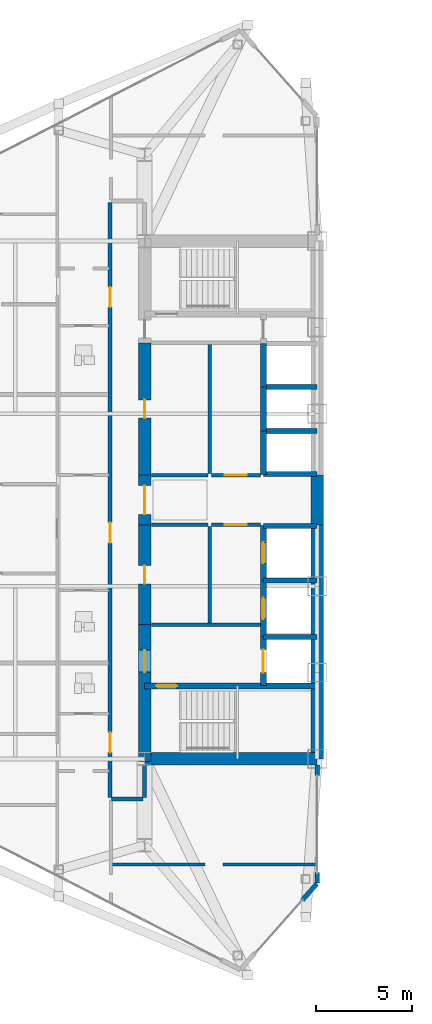
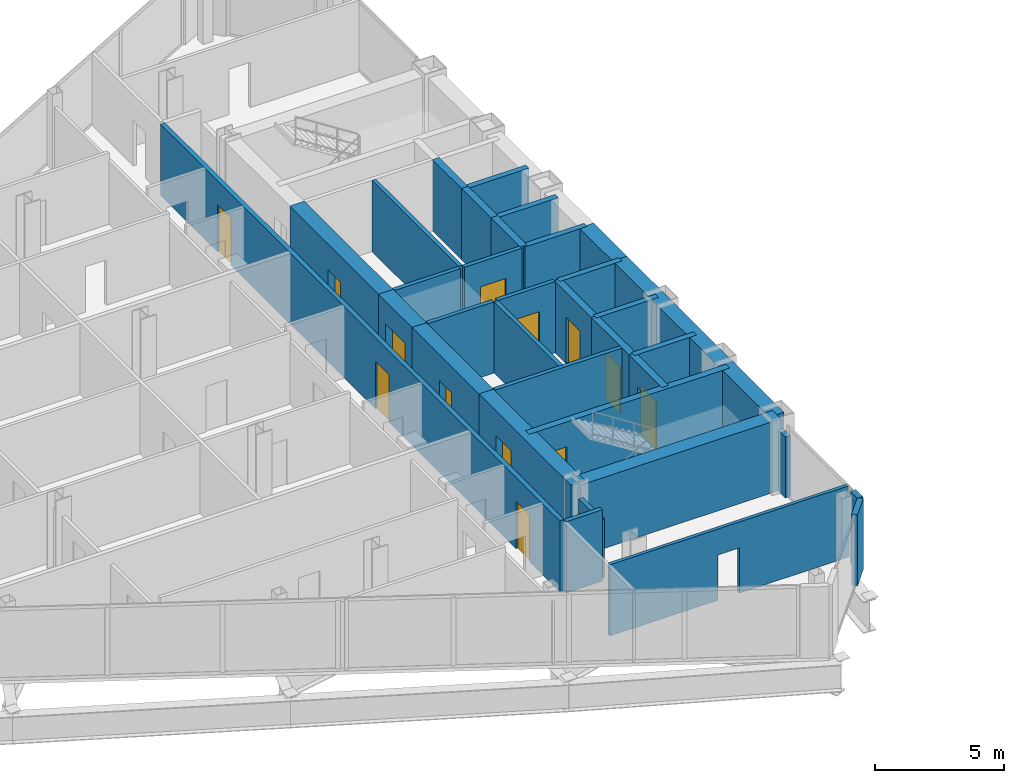
# One storey, part 20 of 28: 34 walls, 13 doors, 14 openings.
"""IFC4 building model written with IfcOpenShell, lengths in metres."""

from ifc_helpers import new_model, si_unit, direction, frame, frame_2d, origin, place, context, subcontext, project, spatial, rectangle, extrude, source, transform, mapped, material, layer, layer_set, type_object, type_shapes, element, fill, save


model = new_model("IFC4")

# Units and contexts
model_context = context("Model", 3, precision=1e-05, world=origin(), true_north=direction((0.0, 1.0)))
body_context = subcontext(model_context, "Body", "Model", "MODEL_VIEW")
ifc_project = project(units=[si_unit("LENGTHUNIT", "METRE"), si_unit("AREAUNIT", "SQUARE_METRE"), si_unit("VOLUMEUNIT", "CUBIC_METRE"), si_unit("PLANEANGLEUNIT", "RADIAN"), si_unit("MASSUNIT", "GRAM", prefix="KILO")], contexts=[model_context])

# Site, building, storey
site_placement = place(None, origin())
site = spatial("IfcSite", under=ifc_project, at=site_placement, CompositionType="ELEMENT")
building_placement = place(site_placement, origin())
building = spatial("IfcBuilding", under=site, at=building_placement, Name="Seokmaru Belvedere", CompositionType="ELEMENT")
storey_placement = place(building_placement, frame((0.0, 0.0, 110.39990234375)))
storey = spatial("IfcBuildingStorey", under=building, at=storey_placement, Name="L29", CompositionType="ELEMENT", Elevation=110.39990234375)

# Wall, opening
ifc_material_1 = material(Name="Fire-Rated Gypsum Shaftwall")
ifc_layer_1 = layer(ifc_material_1, 0.14990234375)
ifc_layer_set_1 = layer_set([ifc_layer_1], Name="Fire-Rated Gypsum Shaftwall")
wall_type_1 = type_object("IfcWallType", Name="Apartment Fire-Acoustic Room Partition 150", PredefinedType="PARTITIONING", material=ifc_layer_set_1)
wall_1_placement = place(storey_placement, frame((-38.199951171875, -19.0, 0.0), z_axis=(0.0, 0.0, 1.0), x_axis=(1.0, 0.0, 0.0)))
wall_1 = element("IfcWall", 1, at=wall_1_placement, inside=storey, type_object=wall_type_1, Name="L29 Interior Partition 001", PredefinedType="PARTITIONING", context=body_context, shape_type="SweptSolid", body=[
    extrude(rectangle(XDim=10.73486328125, YDim=0.14990234375, at=frame_2d((5.367431640625, 0.0))), origin(), (0.0, 0.0, 1.0), 3.380126953125),
])
opening_1_placement = place(wall_1_placement, frame((4.85009765625, 0.0, 0.0)))
element("IfcOpeningElement", 2, at=opening_1_placement, cuts=wall_1, Name="L29 Cased Opening 008", PredefinedType="OPENING", context=body_context, shape_type="SweptSolid", body=[
    extrude(rectangle(XDim=0.949951171875, YDim=2.14990234375, at=frame_2d((0.47509765625, 1.074951171875))), frame((0.0, 0.0849609375, 0.0), z_axis=(0.0, -1.0, 0.0), x_axis=(1.0, 0.0, 0.0)), (0.0, 0.0, 1.0), 0.169921875),
])

# Walls
ifc_layer_2 = layer(ifc_material_1, 0.179931640625)
ifc_layer_set_2 = layer_set([ifc_layer_2], Name="Fire-Rated Gypsum Shaftwall")
wall_type_2 = type_object("IfcWallType", Name="Core Service Fire Partition 180", PredefinedType="PARTITIONING", material=ifc_layer_set_2)
wall_2_placement = place(storey_placement, frame((-36.14990234375, -6.5, 0.0), z_axis=(0.0, 0.0, 1.0), x_axis=(1.0, 0.0, 0.0)))
element("IfcWall", 3, at=wall_2_placement, inside=storey, type_object=wall_type_2, Name="L29 West Firefighting Lobby Partition", PredefinedType="PARTITIONING", context=body_context, shape_type="SweptSolid", body=[
    extrude(rectangle(XDim=5.699951171875, YDim=0.179931640625, at=frame_2d((2.85009765625, 0.0))), origin(), (0.0, 0.0, 1.0), 3.380126953125),
])
wall_3_placement = place(storey_placement, frame((-33.10009765625, -6.419921875, 0.0), z_axis=(0.0, 0.0, 1.0), x_axis=(0.0, 1.0, 0.0)))
element("IfcWall", 4, at=wall_3_placement, inside=storey, type_object=wall_type_2, Name="L29 West South Core Service Back Wall", PredefinedType="PARTITIONING", context=body_context, shape_type="SweptSolid", body=[
    extrude(rectangle(XDim=5.0400390625, YDim=0.179931640625, at=frame_2d((2.52001953125, 0.0))), origin(), (0.0, 0.0, 1.0), 3.380126953125),
])
wall_4_placement = place(storey_placement, frame((-33.10009765625, 1.3798828125, 0.0), z_axis=(0.0, 0.0, 1.0), x_axis=(0.0, 1.0, 0.0)))
element("IfcWall", 5, at=wall_4_placement, inside=storey, type_object=wall_type_2, Name="L29 West North Core Service Back Wall", PredefinedType="PARTITIONING", context=body_context, shape_type="SweptSolid", body=[
    extrude(rectangle(XDim=6.740234375, YDim=0.179931640625, at=frame_2d((3.3701171875, 0.0))), origin(), (0.0, 0.0, 1.0), 3.380126953125),
])

# Wall, opening, door
wall_5_placement = place(storey_placement, frame((-33.02001953125, -1.300048828125, 0.0), z_axis=(0.0, 0.0, 1.0), x_axis=(1.0, 0.0, 0.0)))
wall_5 = element("IfcWall", 6, at=wall_5_placement, inside=storey, type_object=wall_type_2, Name="L29 West South Lift Lobby Foyer Wall", PredefinedType="PARTITIONING", context=body_context, shape_type="SweptSolid", body=[
    extrude(rectangle(XDim=2.570068359375, YDim=0.179931640625, at=frame_2d((1.28515625, 0.0))), origin(), (0.0, 0.0, 1.0), 3.380126953125),
])
opening_2_placement = place(wall_5_placement, frame((0.7099609375, 0.0, 0.0)))
opening_2 = element("IfcOpeningElement", 7, at=opening_2_placement, cuts=wall_5, Name="Opening D02", PredefinedType="OPENING", context=body_context, shape_type="SweptSolid", body=[
    extrude(rectangle(XDim=1.14990234375, YDim=2.199951171875, at=frame_2d((0.574951171875, 1.10009765625))), frame((0.0, 0.10009765625, 0.0), z_axis=(0.0, -1.0, 0.0), x_axis=(1.0, 0.0, 0.0)), (0.0, 0.0, 1.0), 0.199951171875),
])
ifc_material_2 = material(Name="Fire-Rated Steel Leaf", Category="steel")
door_type_1 = type_object("IfcDoorType", Name="Lobby and Vestibule Fire Door 1150x2200", OperationType="NOTDEFINED", PredefinedType="DOOR", material=ifc_material_2)
shared_shape_1 = source(origin(), body_context, "Body", "SweptSolid", [
    extrude(rectangle(XDim=1.14990234375, YDim=2.199951171875, at=frame_2d((0.574951171875, 1.10009765625))), frame((0.0, 0.02490234375, 0.0), z_axis=(0.0, -1.0, 0.0), x_axis=(1.0, 0.0, 0.0)), (0.0, 0.0, 1.0), 0.050048828125),
])
type_shapes(door_type_1, [shared_shape_1])
door_1_placement = place(opening_2_placement, origin())
door_1 = element("IfcDoor", 8, at=door_1_placement, inside=storey, type_object=door_type_1, Name="L29 West South Core Foyer Door", OperationType="SINGLE_SWING_LEFT", OverallHeight=2.199951171875, OverallWidth=1.14990234375, PredefinedType="DOOR", context=body_context, shape_type="MappedRepresentation", body=[
    mapped(shared_shape_1, transform((0.0, 0.0, 0.0), scale=1.0)),
])
fill(opening_2, door_1)

wall_6_placement = place(storey_placement, frame((-33.02001953125, 1.300048828125, 0.0), z_axis=(0.0, 0.0, 1.0), x_axis=(1.0, 0.0, 0.0)))
wall_6 = element("IfcWall", 9, at=wall_6_placement, inside=storey, type_object=wall_type_2, Name="L29 West North Lift Lobby Foyer Wall", PredefinedType="PARTITIONING", context=body_context, shape_type="SweptSolid", body=[
    extrude(rectangle(XDim=2.570068359375, YDim=0.179931640625, at=frame_2d((1.28515625, 0.0))), origin(), (0.0, 0.0, 1.0), 3.380126953125),
])
opening_3_placement = place(wall_6_placement, frame((0.7099609375, 0.0, 0.0)))
opening_3 = element("IfcOpeningElement", 10, at=opening_3_placement, cuts=wall_6, Name="Opening D02", PredefinedType="OPENING", context=body_context, shape_type="SweptSolid", body=[
    extrude(rectangle(XDim=1.14990234375, YDim=2.199951171875, at=frame_2d((0.574951171875, 1.10009765625))), frame((0.0, 0.10009765625, 0.0), z_axis=(0.0, -1.0, 0.0), x_axis=(1.0, 0.0, 0.0)), (0.0, 0.0, 1.0), 0.199951171875),
])
door_2_placement = place(opening_3_placement, origin())
door_2 = element("IfcDoor", 11, at=door_2_placement, inside=storey, type_object=door_type_1, Name="L29 West North Lift Lobby Door", OperationType="SINGLE_SWING_RIGHT", OverallHeight=2.199951171875, OverallWidth=1.14990234375, PredefinedType="DOOR", context=body_context, shape_type="MappedRepresentation", body=[
    mapped(shared_shape_1, transform((0.0, 0.0, 0.0), scale=1.0)),
])
fill(opening_3, door_2)

# Walls
for number, where, z_axis, x_axis, name in (
    (12, (-36.14990234375, -1.300048828125, 0.0), (0.0, 0.0, 1.0), (1.0, 0.0, 0.0), "L29 West Foyer Side Wall S"),
    (13, (-36.14990234375, 1.300048828125, 0.0), (0.0, 0.0, 1.0), (1.0, 0.0, 0.0), "L29 West Foyer Side Wall N"),
):
    element("IfcWall", number, at=place(storey_placement, frame(where, z_axis=z_axis, x_axis=x_axis)), inside=storey, type_object=wall_type_2, Name=name, PredefinedType="PARTITIONING", context=body_context, shape_type="SweptSolid", body=[
        extrude(rectangle(XDim=2.949951171875, YDim=0.179931640625, at=frame_2d((1.47509765625, 0.0))), origin(), (0.0, 0.0, 1.0), 3.380126953125),
    ])
ifc_material_3 = material(Name="Concrete C50 (50 MPa)", Category="concrete")
ifc_layer_3 = layer(ifc_material_3, 0.25)
ifc_layer_set_3 = layer_set([ifc_layer_3], Name="Concrete C50 (50 MPa)")
wall_type_3 = type_object("IfcWallType", Name="Hoistway Transverse Concrete Divider Wall 250", PredefinedType="SHEAR", material=ifc_layer_set_3)
for number, where, z_axis, x_axis, name in (
    (14, (-30.300048828125, -7.14990234375, 0.0), (0.0, 0.0, 1.0), (1.0, 0.0, 0.0), "L29 West Hoistway Divider Core Wall 1"),
    (15, (-30.300048828125, -4.199951171875, 0.0), (0.0, 0.0, 1.0), (1.0, 0.0, 0.0), "L29 West Hoistway Divider Core Wall 2"),
    (16, (-30.300048828125, -1.35009765625, 0.0), (0.0, 0.0, 1.0), (1.0, 0.0, 0.0), "L29 West Hoistway Divider Core Wall 3"),
    (17, (-30.300048828125, 1.35009765625, 0.0), (0.0, 0.0, 1.0), (1.0, 0.0, 0.0), "L29 West Hoistway Divider Core Wall 4"),
    (18, (-30.300048828125, 3.60009765625, 0.0), (0.0, 0.0, 1.0), (1.0, 0.0, 0.0), "L29 West Hoistway Divider Core Wall 5"),
    (19, (-30.300048828125, 5.89990234375, 0.0), (0.0, 0.0, 1.0), (1.0, 0.0, 0.0), "L29 West Hoistway Divider Core Wall 6"),
):
    element("IfcWall", number, at=place(storey_placement, frame(where, z_axis=z_axis, x_axis=x_axis)), inside=storey, type_object=wall_type_3, Name=name, PredefinedType="SHEAR", context=body_context, shape_type="SweptSolid", body=[
        extrude(rectangle(XDim=2.800048828125, YDim=0.25, at=frame_2d((1.39990234375, 0.0))), origin(), (0.0, 0.0, 1.0), 3.380126953125),
    ])
ifc_layer_4 = layer(ifc_material_1, 0.199951171875)
ifc_layer_set_4 = layer_set([ifc_layer_4], Name="Fire-Rated Gypsum Shaftwall")
wall_type_4 = type_object("IfcWallType", Name="Inter-Tenancy Fire Compartment Partition 200", PredefinedType="PARTITIONING", material=ifc_layer_set_4)
wall_7_placement = place(storey_placement, frame((-38.215087890625, -15.60009765625, 0.0), z_axis=(0.0, 0.0, 1.0), x_axis=(1.0, 0.0, 0.0)))
element("IfcWall", 20, at=wall_7_placement, inside=storey, type_object=wall_type_4, Name="L29 Interior Partition 004", PredefinedType="PARTITIONING", context=body_context, shape_type="SweptSolid", body=[
    extrude(rectangle(XDim=1.630126953125, YDim=0.199951171875, at=frame_2d((0.81494140625, 0.0))), origin(), (0.0, 0.0, 1.0), 3.380126953125),
])

# Wall, openings, doors
wall_8_placement = place(storey_placement, frame((-38.300048828125, -15.514892578125, 0.0), z_axis=(0.0, 0.0, 1.0), x_axis=(0.0, 1.0, 0.0)))
wall_8 = element("IfcWall", 21, at=wall_8_placement, inside=storey, type_object=wall_type_4, Name="L29 Interior Partition 042", PredefinedType="PARTITIONING", context=body_context, shape_type="SweptSolid", body=[
    extrude(rectangle(XDim=31.02978515625, YDim=0.199951171875, at=frame_2d((15.514892578125, 0.0))), origin(), (0.0, 0.0, 1.0), 3.380126953125),
])
opening_4_placement = place(wall_8_placement, frame((2.344970703125, 0.0, 0.0)))
opening_4 = element("IfcOpeningElement", 22, at=opening_4_placement, cuts=wall_8, Name="Opening D03", PredefinedType="OPENING", context=body_context, shape_type="SweptSolid", body=[
    extrude(rectangle(XDim=1.050048828125, YDim=2.25, at=frame_2d((0.52490234375, 1.125))), frame((0.0, 0.10986328125, 0.0), z_axis=(0.0, -1.0, 0.0), x_axis=(1.0, 0.0, 0.0)), (0.0, 0.0, 1.0), 0.219970703125),
])
opening_5_placement = place(wall_8_placement, frame((13.280029296875, 0.0, 0.0)))
opening_5 = element("IfcOpeningElement", 23, at=opening_5_placement, cuts=wall_8, Name="Opening D03", PredefinedType="OPENING", context=body_context, shape_type="SweptSolid", body=[
    extrude(rectangle(XDim=1.050048828125, YDim=2.25, at=frame_2d((0.52490234375, 1.125))), frame((0.0, 0.10986328125, 0.0), z_axis=(0.0, -1.0, 0.0), x_axis=(1.0, 0.0, 0.0)), (0.0, 0.0, 1.0), 0.219970703125),
])
opening_6_placement = place(wall_8_placement, frame((25.5673828125, 0.0, 0.0)))
opening_6 = element("IfcOpeningElement", 24, at=opening_6_placement, cuts=wall_8, Name="Opening D03", PredefinedType="OPENING", context=body_context, shape_type="SweptSolid", body=[
    extrude(rectangle(XDim=1.050048828125, YDim=2.25, at=frame_2d((0.52490234375, 1.125))), frame((0.0, 0.10986328125, 0.0), z_axis=(0.0, -1.0, 0.0), x_axis=(1.0, 0.0, 0.0)), (0.0, 0.0, 1.0), 0.219970703125),
])
door_type_2 = type_object("IfcDoorType", Name="Apartment Entrance Fire Door 1050x2250", OperationType="NOTDEFINED", PredefinedType="DOOR", material=ifc_material_2)
shared_shape_2 = source(origin(), body_context, "Body", "SweptSolid", [
    extrude(rectangle(XDim=1.050048828125, YDim=2.25, at=frame_2d((0.52490234375, 1.125))), frame((0.0, 0.02490234375, 0.0), z_axis=(0.0, -1.0, 0.0), x_axis=(1.0, 0.0, 0.0)), (0.0, 0.0, 1.0), 0.050048828125),
])
type_shapes(door_type_2, [shared_shape_2])
door_3_placement = place(opening_4_placement, origin())
door_3 = element("IfcDoor", 25, at=door_3_placement, inside=storey, type_object=door_type_2, Name="L29 Interior Door 001", OperationType="SINGLE_SWING_RIGHT", OverallHeight=2.25, OverallWidth=1.050048828125, PredefinedType="DOOR", context=body_context, shape_type="MappedRepresentation", body=[
    mapped(shared_shape_2, transform((0.0, 0.0, 0.0), scale=1.0)),
])
fill(opening_4, door_3)
door_4_placement = place(opening_5_placement, origin())
door_4 = element("IfcDoor", 26, at=door_4_placement, inside=storey, type_object=door_type_2, Name="L29 Interior Door 010", OperationType="SINGLE_SWING_LEFT", OverallHeight=2.25, OverallWidth=1.050048828125, PredefinedType="DOOR", context=body_context, shape_type="MappedRepresentation", body=[
    mapped(shared_shape_2, transform((0.0, 0.0, 0.0), scale=1.0)),
])
fill(opening_5, door_4)
door_5_placement = place(opening_6_placement, origin())
door_5 = element("IfcDoor", 27, at=door_5_placement, inside=storey, type_object=door_type_2, Name="L29 Interior Door 025", OperationType="SINGLE_SWING_RIGHT", OverallHeight=2.25, OverallWidth=1.050048828125, PredefinedType="DOOR", context=body_context, shape_type="MappedRepresentation", body=[
    mapped(shared_shape_2, transform((0.0, 0.0, 0.0), scale=1.0)),
])
fill(opening_6, door_5)

# Wall
wall_9_placement = place(storey_placement, frame((-36.5, -15.514892578125, 0.0), z_axis=(0.0, 0.0, 1.0), x_axis=(0.0, 1.0, 0.0)))
element("IfcWall", 28, at=wall_9_placement, inside=storey, type_object=wall_type_4, Name="L29 Interior Partition 045", PredefinedType="PARTITIONING", context=body_context, shape_type="SweptSolid", body=[
    extrude(rectangle(XDim=1.684814453125, YDim=0.199951171875, at=frame_2d((0.84228515625, 0.0))), origin(), (0.0, 0.0, 1.0), 2.780029296875),
])

# Wall, opening, door
ifc_layer_5 = layer(ifc_material_3, 0.300048828125)
ifc_layer_set_5 = layer_set([ifc_layer_5], Name="Concrete C50 (50 MPa)")
wall_type_5 = type_object("IfcWallType", Name="Internal Core Stair and Hoistway Wall 300", PredefinedType="SHEAR", material=ifc_layer_set_5)
wall_10_placement = place(storey_placement, frame((-36.5, -9.699951171875, 0.0), z_axis=(0.0, 0.0, 1.0), x_axis=(1.0, 0.0, 0.0)))
wall_10 = element("IfcWall", 29, at=wall_10_placement, inside=storey, type_object=wall_type_5, Name="L29 West Stair ST-1 Enclosure Wall", PredefinedType="SHEAR", context=body_context, shape_type="SweptSolid", body=[
    extrude(rectangle(XDim=9.0, YDim=0.300048828125, at=frame_2d((4.5, 0.0))), origin(), (0.0, 0.0, 1.0), 3.380126953125),
])
opening_7_placement = place(wall_10_placement, frame((0.60009765625, 0.0, 0.0)))
opening_7 = element("IfcOpeningElement", 30, at=opening_7_placement, cuts=wall_10, Name="Opening D01", PredefinedType="OPENING", context=body_context, shape_type="SweptSolid", body=[
    extrude(rectangle(XDim=1.10009765625, YDim=2.199951171875, at=frame_2d((0.550048828125, 1.10009765625))), frame((0.0, 0.16015625, 0.0), z_axis=(0.0, -1.0, 0.0), x_axis=(1.0, 0.0, 0.0)), (0.0, 0.0, 1.0), 0.320068359375),
])
door_type_3 = type_object("IfcDoorType", Name="Special Escape Stair Smokeproof Fire Door 1100x2200", OperationType="NOTDEFINED", PredefinedType="DOOR", material=ifc_material_2)
shared_shape_3 = source(origin(), body_context, "Body", "SweptSolid", [
    extrude(rectangle(XDim=1.10009765625, YDim=2.199951171875, at=frame_2d((0.550048828125, 1.10009765625))), frame((0.0, 0.02490234375, 0.0), z_axis=(0.0, -1.0, 0.0), x_axis=(1.0, 0.0, 0.0)), (0.0, 0.0, 1.0), 0.050048828125),
])
type_shapes(door_type_3, [shared_shape_3])
door_6_placement = place(opening_7_placement, frame((1.10009765625, 0.0, 0.0), z_axis=(0.0, 0.0, 1.0), x_axis=(-1.0, 0.0, 0.0)))
door_6 = element("IfcDoor", 31, at=door_6_placement, inside=storey, type_object=door_type_3, Name="L29 West Special Escape Stair ST-1 Door", OperationType="SINGLE_SWING_LEFT", OverallHeight=2.199951171875, OverallWidth=1.10009765625, PredefinedType="DOOR", context=body_context, shape_type="MappedRepresentation", body=[
    mapped(shared_shape_3, transform((0.0, 0.0, 0.0), scale=1.0)),
])
fill(opening_7, door_6)

wall_11_placement = place(storey_placement, frame((-30.300048828125, -9.679931640625, 0.0), z_axis=(0.0, 0.0, 1.0), x_axis=(0.0, 1.0, 0.0)))
wall_11 = element("IfcWall", 32, at=wall_11_placement, inside=storey, type_object=wall_type_5, Name="L29 West Firefighting Lift Shaft Front Wall", PredefinedType="SHEAR", context=body_context, shape_type="SweptSolid", body=[
    extrude(rectangle(XDim=2.559814453125, YDim=0.300048828125, at=frame_2d((1.27978515625, 0.0))), origin(), (0.0, 0.0, 1.0), 3.380126953125),
])
opening_8_placement = place(wall_11_placement, frame((0.679931640625, 0.0, 0.0)))
opening_8 = element("IfcOpeningElement", 33, at=opening_8_placement, cuts=wall_11, Name="Opening LD2", PredefinedType="OPENING", context=body_context, shape_type="SweptSolid", body=[
    extrude(rectangle(XDim=1.199951171875, YDim=2.25, at=frame_2d((0.60009765625, 1.125))), frame((0.0, 0.16015625, 0.0), z_axis=(0.0, -1.0, 0.0), x_axis=(1.0, 0.0, 0.0)), (0.0, 0.0, 1.0), 0.320068359375),
])
ifc_material_4 = material(Name="Stainless Steel 316", Category="steel")
door_type_4 = type_object("IfcDoorType", Name="Firefighting Lift Sliding Landing Door 1200x2250", OperationType="DOUBLE_DOOR_SLIDING", PredefinedType="DOOR", material=ifc_material_4)
shared_shape_4 = source(origin(), body_context, "Body", "SweptSolid", [
    extrude(rectangle(XDim=1.199951171875, YDim=2.25, at=frame_2d((0.60009765625, 1.125))), frame((0.0, 0.02490234375, 0.0), z_axis=(0.0, -1.0, 0.0), x_axis=(1.0, 0.0, 0.0)), (0.0, 0.0, 1.0), 0.050048828125),
])
type_shapes(door_type_4, [shared_shape_4])
door_7_placement = place(opening_8_placement, origin())
door_7 = element("IfcDoor", 34, at=door_7_placement, inside=storey, type_object=door_type_4, Name="L29 West Firefighting Lift Landing Door", OperationType="DOUBLE_DOOR_SLIDING", OverallHeight=2.25, OverallWidth=1.199951171875, PredefinedType="DOOR", context=body_context, shape_type="MappedRepresentation", body=[
    mapped(shared_shape_4, transform((0.0, 0.0, 0.0), scale=1.0)),
])
fill(opening_8, door_7)

wall_12_placement = place(storey_placement, frame((-30.300048828125, -7.1201171875, 0.0), z_axis=(0.0, 0.0, 1.0), x_axis=(0.0, 1.0, 0.0)))
wall_12 = element("IfcWall", 35, at=wall_12_placement, inside=storey, type_object=wall_type_5, Name="L29 West Low-Rise Lift PL-1 Front Wall", PredefinedType="SHEAR", context=body_context, shape_type="SweptSolid", body=[
    extrude(rectangle(XDim=2.920166015625, YDim=0.300048828125, at=frame_2d((1.4599609375, 0.0))), origin(), (0.0, 0.0, 1.0), 3.380126953125),
])
opening_9_placement = place(wall_12_placement, frame((0.909912109375, 0.0, 0.0)))
opening_9 = element("IfcOpeningElement", 36, at=opening_9_placement, cuts=wall_12, Name="Opening LD1", PredefinedType="OPENING", context=body_context, shape_type="SweptSolid", body=[
    extrude(rectangle(XDim=1.10009765625, YDim=2.199951171875, at=frame_2d((0.550048828125, 1.10009765625))), frame((0.0, 0.16015625, 0.0), z_axis=(0.0, -1.0, 0.0), x_axis=(1.0, 0.0, 0.0)), (0.0, 0.0, 1.0), 0.320068359375),
])
door_type_5 = type_object("IfcDoorType", Name="Passenger Lift Sliding Landing Door 1100x2200", OperationType="DOUBLE_DOOR_SLIDING", PredefinedType="DOOR", material=ifc_material_4)
shared_shape_5 = source(origin(), body_context, "Body", "SweptSolid", [
    extrude(rectangle(XDim=1.10009765625, YDim=2.199951171875, at=frame_2d((0.550048828125, 1.10009765625))), frame((0.0, 0.02490234375, 0.0), z_axis=(0.0, -1.0, 0.0), x_axis=(1.0, 0.0, 0.0)), (0.0, 0.0, 1.0), 0.050048828125),
])
type_shapes(door_type_5, [shared_shape_5])
door_8_placement = place(opening_9_placement, origin())
door_8 = element("IfcDoor", 37, at=door_8_placement, inside=storey, type_object=door_type_5, Name="L29 West Low-Rise Lift PL-1 Landing Door", OperationType="DOUBLE_DOOR_SLIDING", OverallHeight=2.199951171875, OverallWidth=1.10009765625, PredefinedType="DOOR", context=body_context, shape_type="MappedRepresentation", body=[
    mapped(shared_shape_5, transform((0.0, 0.0, 0.0), scale=1.0)),
])
fill(opening_9, door_8)

wall_13_placement = place(storey_placement, frame((-30.300048828125, -4.199951171875, 0.0), z_axis=(0.0, 0.0, 1.0), x_axis=(0.0, 1.0, 0.0)))
wall_13 = element("IfcWall", 38, at=wall_13_placement, inside=storey, type_object=wall_type_5, Name="L29 West Low-Rise Lift PL-2 Front Wall", PredefinedType="SHEAR", context=body_context, shape_type="SweptSolid", body=[
    extrude(rectangle(XDim=2.8798828125, YDim=0.300048828125, at=frame_2d((1.43994140625, 0.0))), origin(), (0.0, 0.0, 1.0), 3.380126953125),
])
opening_10_placement = place(wall_13_placement, frame((0.889892578125, 0.0, 0.0)))
opening_10 = element("IfcOpeningElement", 39, at=opening_10_placement, cuts=wall_13, Name="Opening LD1", PredefinedType="OPENING", context=body_context, shape_type="SweptSolid", body=[
    extrude(rectangle(XDim=1.10009765625, YDim=2.199951171875, at=frame_2d((0.550048828125, 1.10009765625))), frame((0.0, 0.16015625, 0.0), z_axis=(0.0, -1.0, 0.0), x_axis=(1.0, 0.0, 0.0)), (0.0, 0.0, 1.0), 0.320068359375),
])
door_9_placement = place(opening_10_placement, origin())
door_9 = element("IfcDoor", 40, at=door_9_placement, inside=storey, type_object=door_type_5, Name="L29 West Low-Rise Lift PL-2 Landing Door", OperationType="DOUBLE_DOOR_SLIDING", OverallHeight=2.199951171875, OverallWidth=1.10009765625, PredefinedType="DOOR", context=body_context, shape_type="MappedRepresentation", body=[
    mapped(shared_shape_5, transform((0.0, 0.0, 0.0), scale=1.0)),
])
fill(opening_10, door_9)

# Walls
wall_14_placement = place(storey_placement, frame((-30.300048828125, 1.320068359375, 0.0), z_axis=(0.0, 0.0, 1.0), x_axis=(0.0, 1.0, 0.0)))
element("IfcWall", 41, at=wall_14_placement, inside=storey, type_object=wall_type_5, Name="L29 West North Hoistway Wall PH1", PredefinedType="SHEAR", context=body_context, shape_type="SweptSolid", body=[
    extrude(rectangle(XDim=2.280029296875, YDim=0.300048828125, at=frame_2d((1.14013671875, 0.0))), origin(), (0.0, 0.0, 1.0), 3.380126953125),
])
wall_15_placement = place(storey_placement, frame((-30.300048828125, 3.60009765625, 0.0), z_axis=(0.0, 0.0, 1.0), x_axis=(0.0, 1.0, 0.0)))
element("IfcWall", 42, at=wall_15_placement, inside=storey, type_object=wall_type_5, Name="L29 West North Hoistway Wall PH2", PredefinedType="SHEAR", context=body_context, shape_type="SweptSolid", body=[
    extrude(rectangle(XDim=2.2998046875, YDim=0.300048828125, at=frame_2d((1.14990234375, 0.0))), origin(), (0.0, 0.0, 1.0), 3.380126953125),
])
wall_16_placement = place(storey_placement, frame((-30.300048828125, 5.89990234375, 0.0), z_axis=(0.0, 0.0, 1.0), x_axis=(0.0, 1.0, 0.0)))
element("IfcWall", 43, at=wall_16_placement, inside=storey, type_object=wall_type_5, Name="L29 West North Hoistway Wall OBS", PredefinedType="SHEAR", context=body_context, shape_type="SweptSolid", body=[
    extrude(rectangle(XDim=2.25, YDim=0.300048828125, at=frame_2d((1.125, 0.0))), origin(), (0.0, 0.0, 1.0), 3.380126953125),
])
ifc_material_5 = material(Name="Concrete C60 (60 MPa)", Category="concrete")
ifc_layer_6 = layer(ifc_material_5, 0.64990234375)
ifc_layer_set_6 = layer_set([ifc_layer_6], Name="Concrete C60 (60 MPa)")
wall_type_6 = type_object("IfcWallType", Name="Mid-Low Reinforced Concrete Core Wall 650", PredefinedType="SHEAR", material=ifc_layer_set_6)
wall_17_placement = place(storey_placement, frame((-27.5, -13.5, 0.0), z_axis=(0.0, 0.0, 1.0), x_axis=(0.0, 1.0, 0.0)))
element("IfcWall", 44, at=wall_17_placement, inside=storey, type_object=wall_type_6, Name="L29 West Portal Spine Core Wall South", PredefinedType="SHEAR", context=body_context, shape_type="SweptSolid", body=[
    extrude(rectangle(XDim=12.199951171875, YDim=0.64990234375, at=frame_2d((6.10009765625, 0.0))), origin(), (0.0, 0.0, 1.0), 3.380126953125),
])
wall_18_placement = place(storey_placement, frame((-27.5, -1.300048828125, 0.0), z_axis=(0.0, 0.0, 1.0), x_axis=(0.0, 1.0, 0.0)))
element("IfcWall", 45, at=wall_18_placement, inside=storey, type_object=wall_type_6, Name="L29 West Portal Spine Core Wall Center", PredefinedType="SHEAR", context=body_context, shape_type="SweptSolid", body=[
    extrude(rectangle(XDim=2.60009765625, YDim=0.64990234375, at=frame_2d((1.300048828125, 0.0))), origin(), (0.0, 0.0, 1.0), 3.380126953125),
])
wall_19_placement = place(storey_placement, frame((-36.5, -13.5, 0.0), z_axis=(0.0, 0.0, 1.0), x_axis=(1.0, 0.0, 0.0)))
element("IfcWall", 46, at=wall_19_placement, inside=storey, type_object=wall_type_6, Name="L29 West South Core Wall", PredefinedType="SHEAR", context=body_context, shape_type="SweptSolid", body=[
    extrude(rectangle(XDim=9.0, YDim=0.64990234375, at=frame_2d((4.5, 0.0))), origin(), (0.0, 0.0, 1.0), 3.380126953125),
])

# Wall, opening, door
wall_20_placement = place(storey_placement, frame((-36.5, -13.64990234375, 0.0), z_axis=(0.0, 0.0, 1.0), x_axis=(0.0, 1.0, 0.0)))
wall_20 = element("IfcWall", 47, at=wall_20_placement, inside=storey, type_object=wall_type_6, Name="L29 West West Core Wall FF", PredefinedType="SHEAR", context=body_context, shape_type="SweptSolid", body=[
    extrude(rectangle(XDim=7.14990234375, YDim=0.64990234375, at=frame_2d((3.574951171875, 0.0))), origin(), (0.0, 0.0, 1.0), 3.380126953125),
])
opening_11_placement = place(wall_20_placement, frame((4.675048828125, 0.0, 0.0)))
opening_11 = element("IfcOpeningElement", 48, at=opening_11_placement, cuts=wall_20, Name="Opening D02", PredefinedType="OPENING", context=body_context, shape_type="SweptSolid", body=[
    extrude(rectangle(XDim=1.14990234375, YDim=2.199951171875, at=frame_2d((0.574951171875, 1.10009765625))), frame((0.0, 0.3349609375, 0.0), z_axis=(0.0, -1.0, 0.0), x_axis=(1.0, 0.0, 0.0)), (0.0, 0.0, 1.0), 0.669921875),
])
door_10_placement = place(opening_11_placement, frame((1.14990234375, 0.0, 0.0), z_axis=(0.0, 0.0, 1.0), x_axis=(-1.0, 0.0, 0.0)))
door_10 = element("IfcDoor", 49, at=door_10_placement, inside=storey, type_object=door_type_1, Name="L29 West Firefighting Lobby Door", OperationType="SINGLE_SWING_LEFT", OverallHeight=2.199951171875, OverallWidth=1.14990234375, PredefinedType="DOOR", context=body_context, shape_type="MappedRepresentation", body=[
    mapped(shared_shape_1, transform((0.0, 0.0, 0.0), scale=1.0)),
])
fill(opening_11, door_10)

wall_21_placement = place(storey_placement, frame((-36.5, -1.300048828125, 0.0), z_axis=(0.0, 0.0, 1.0), x_axis=(0.0, 1.0, 0.0)))
wall_21 = element("IfcWall", 50, at=wall_21_placement, inside=storey, type_object=wall_type_6, Name="L29 West West Core Wall FOY", PredefinedType="SHEAR", context=body_context, shape_type="SweptSolid", body=[
    extrude(rectangle(XDim=2.60009765625, YDim=0.64990234375, at=frame_2d((1.300048828125, 0.0))), origin(), (0.0, 0.0, 1.0), 3.380126953125),
])
opening_12_placement = place(wall_21_placement, frame((0.550048828125, 0.0, 0.0)))
opening_12 = element("IfcOpeningElement", 51, at=opening_12_placement, cuts=wall_21, Name="Opening D08", PredefinedType="OPENING", context=body_context, shape_type="SweptSolid", body=[
    extrude(rectangle(XDim=1.5, YDim=2.300048828125, at=frame_2d((0.75, 1.14990234375))), frame((0.0, 0.3349609375, 0.0), z_axis=(0.0, -1.0, 0.0), x_axis=(1.0, 0.0, 0.0)), (0.0, 0.0, 1.0), 0.669921875),
])
door_type_6 = type_object("IfcDoorType", Name="Cross-Corridor Compartment Double Fire Door 1500x2300", OperationType="DOUBLE_SWING_LEFT", PredefinedType="DOOR", material=ifc_material_2)
shared_shape_6 = source(origin(), body_context, "Body", "SweptSolid", [
    extrude(rectangle(XDim=1.5, YDim=2.300048828125, at=frame_2d((0.75, 1.14990234375))), frame((0.0, 0.02490234375, 0.0), z_axis=(0.0, -1.0, 0.0), x_axis=(1.0, 0.0, 0.0)), (0.0, 0.0, 1.0), 0.050048828125),
])
type_shapes(door_type_6, [shared_shape_6])
door_11_placement = place(opening_12_placement, origin())
door_11 = element("IfcDoor", 52, at=door_11_placement, inside=storey, type_object=door_type_6, Name="L29 West Core Foyer Compartment Door", OperationType="DOUBLE_SWING_LEFT", OverallHeight=2.300048828125, OverallWidth=1.5, PredefinedType="DOOR", context=body_context, shape_type="MappedRepresentation", body=[
    mapped(shared_shape_6, transform((0.0, 0.0, 0.0), scale=1.0)),
])
fill(opening_12, door_11)

wall_22_placement = place(storey_placement, frame((-36.5, -6.5, 0.0), z_axis=(0.0, 0.0, 1.0), x_axis=(0.0, 1.0, 0.0)))
wall_22 = element("IfcWall", 53, at=wall_22_placement, inside=storey, type_object=wall_type_6, Name="L29 West West Core Wall CS1", PredefinedType="SHEAR", context=body_context, shape_type="SweptSolid", body=[
    extrude(rectangle(XDim=5.199951171875, YDim=0.64990234375, at=frame_2d((2.60009765625, 0.0))), origin(), (0.0, 0.0, 1.0), 3.380126953125),
])
opening_13_placement = place(wall_22_placement, frame((2.125, 0.0, 0.0)))
opening_13 = element("IfcOpeningElement", 54, at=opening_13_placement, cuts=wall_22, Name="Opening D04", PredefinedType="OPENING", context=body_context, shape_type="SweptSolid", body=[
    extrude(rectangle(XDim=0.949951171875, YDim=2.14990234375, at=frame_2d((0.47509765625, 1.074951171875))), frame((0.0, 0.3349609375, 0.0), z_axis=(0.0, -1.0, 0.0), x_axis=(1.0, 0.0, 0.0)), (0.0, 0.0, 1.0), 0.669921875),
])
door_type_7 = type_object("IfcDoorType", Name="Core Service Room Fire Door 950x2150", OperationType="NOTDEFINED", PredefinedType="DOOR", material=ifc_material_2)
shared_shape_7 = source(origin(), body_context, "Body", "SweptSolid", [
    extrude(rectangle(XDim=0.949951171875, YDim=2.14990234375, at=frame_2d((0.47509765625, 1.074951171875))), frame((0.0, 0.02490234375, 0.0), z_axis=(0.0, -1.0, 0.0), x_axis=(1.0, 0.0, 0.0)), (0.0, 0.0, 1.0), 0.050048828125),
])
type_shapes(door_type_7, [shared_shape_7])
door_12_placement = place(opening_13_placement, origin())
door_12 = element("IfcDoor", 55, at=door_12_placement, inside=storey, type_object=door_type_7, Name="L29 West Core Service Room Door 1", OperationType="SINGLE_SWING_LEFT", OverallHeight=2.14990234375, OverallWidth=0.949951171875, PredefinedType="DOOR", context=body_context, shape_type="MappedRepresentation", body=[
    mapped(shared_shape_7, transform((0.0, 0.0, 0.0), scale=1.0)),
])
fill(opening_13, door_12)

wall_23_placement = place(storey_placement, frame((-36.5, 1.300048828125, 0.0), z_axis=(0.0, 0.0, 1.0), x_axis=(0.0, 1.0, 0.0)))
wall_23 = element("IfcWall", 56, at=wall_23_placement, inside=storey, type_object=wall_type_6, Name="L29 West West Core Wall CS2", PredefinedType="SHEAR", context=body_context, shape_type="SweptSolid", body=[
    extrude(rectangle(XDim=6.89990234375, YDim=0.64990234375, at=frame_2d((3.449951171875, 0.0))), origin(), (0.0, 0.0, 1.0), 3.380126953125),
])
opening_14_placement = place(wall_23_placement, frame((2.97509765625, 0.0, 0.0)))
opening_14 = element("IfcOpeningElement", 57, at=opening_14_placement, cuts=wall_23, Name="Opening D04", PredefinedType="OPENING", context=body_context, shape_type="SweptSolid", body=[
    extrude(rectangle(XDim=0.949951171875, YDim=2.14990234375, at=frame_2d((0.47509765625, 1.074951171875))), frame((0.0, 0.3349609375, 0.0), z_axis=(0.0, -1.0, 0.0), x_axis=(1.0, 0.0, 0.0)), (0.0, 0.0, 1.0), 0.669921875),
])
door_13_placement = place(opening_14_placement, origin())
door_13 = element("IfcDoor", 58, at=door_13_placement, inside=storey, type_object=door_type_7, Name="L29 West Core Service Room Door 2", OperationType="SINGLE_SWING_RIGHT", OverallHeight=2.14990234375, OverallWidth=0.949951171875, PredefinedType="DOOR", context=body_context, shape_type="MappedRepresentation", body=[
    mapped(shared_shape_7, transform((0.0, 0.0, 0.0), scale=1.0)),
])
fill(opening_14, door_13)

# Walls
ifc_material_6 = material(Name="Anodised Bronze Aluminium", Category="aluminium")
ifc_layer_7 = layer(ifc_material_6, 0.239990234375)
ifc_layer_set_7 = layer_set([ifc_layer_7], Name="Anodised Bronze Aluminium")
wall_type_7 = type_object("IfcWallType", Name="Tower Corner Spandrel Closure Wall 240", PredefinedType="SOLIDWALL", material=ifc_layer_set_7)
wall_24_placement = place(storey_placement, frame((-27.5, -19.97998046875, 0.0), z_axis=(0.0, 0.0, 1.0), x_axis=(0.0, 1.0, 0.0)))
element("IfcWall", 59, at=wall_24_placement, inside=storey, type_object=wall_type_7, Name="L29 W Spine Closure Pier 1A", PredefinedType="SOLIDWALL", context=body_context, shape_type="SweptSolid", body=[
    extrude(rectangle(XDim=0.550048828125, YDim=0.239990234375, at=frame_2d((0.27490234375, 0.0))), origin(), (0.0, 0.0, 1.0), 3.380126953125),
])
wall_25_placement = place(storey_placement, frame((-27.5, -14.3798828125, 0.0), z_axis=(0.0, 0.0, 1.0), x_axis=(0.0, 1.0, 0.0)))
element("IfcWall", 60, at=wall_25_placement, inside=storey, type_object=wall_type_7, Name="L29 W Spine Closure Pier 1B", PredefinedType="SOLIDWALL", context=body_context, shape_type="SweptSolid", body=[
    extrude(rectangle(XDim=0.5498046875, YDim=0.239990234375, at=frame_2d((0.27490234375, 0.0))), origin(), (0.0, 0.0, 1.0), 2.880126953125),
])
wall_26_placement = place(storey_placement, frame((-28.263916015625, -20.859619140625, 0.0), z_axis=(0.0, 0.0, 1.0), x_axis=(0.664337252513, 0.747432950119, 0.0)))
element("IfcWall", 61, at=wall_26_placement, inside=storey, type_object=wall_type_7, Name="L29 W Corner Closure Pier 6B", PredefinedType="SOLIDWALL", context=body_context, shape_type="SweptSolid", body=[
    extrude(rectangle(XDim=1.139892578125, YDim=0.239990234375, at=frame_2d((0.56982421875, 0.0))), origin(), (0.0, 0.0, 1.0), 3.380126953125),
])

save(model, "model.ifc")
